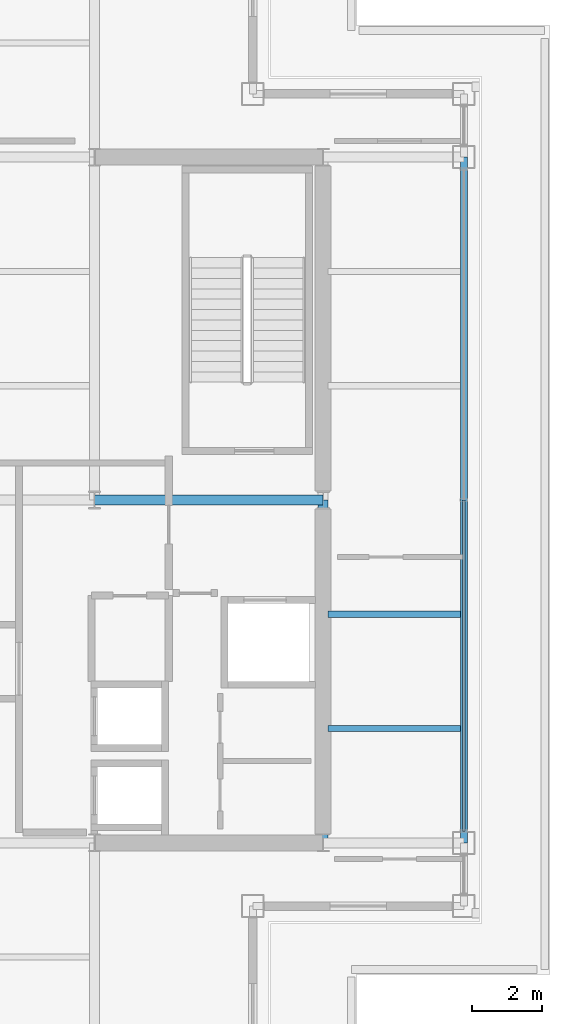
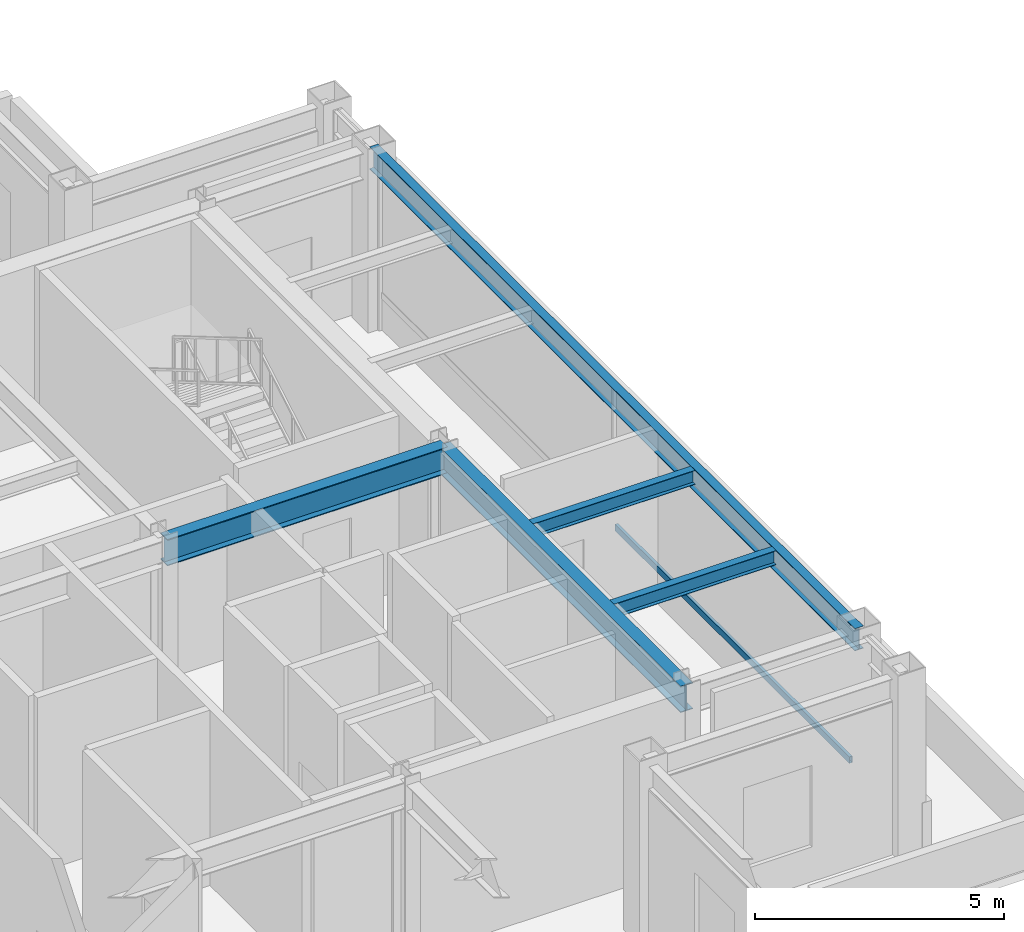
# One storey, part 9 of 19: 5 beams, 1 member, 1 element without a shape of its own.
"""IFC4 building model written with IfcOpenShell, lengths in metres."""

from ifc_helpers import new_model, si_unit, direction, frame, origin, origin_2d, place, context, subcontext, project, spatial, hollow_rectangle, i_section, extrude, material, layer, layer_set, material_profile, profile_set, type_object, element, aggregate, save


model = new_model("IFC4")

# Units and contexts
model_context = context("Model", 3, precision=1e-05, world=origin(), true_north=direction((0.0, 1.0)))
body_context = subcontext(model_context, "Body", "Model", "MODEL_VIEW")
ifc_project = project(units=[si_unit("LENGTHUNIT", "METRE"), si_unit("AREAUNIT", "SQUARE_METRE"), si_unit("VOLUMEUNIT", "CUBIC_METRE"), si_unit("PLANEANGLEUNIT", "RADIAN"), si_unit("MASSUNIT", "GRAM", prefix="KILO")], contexts=[model_context])

# Site, building, storey
site_placement = place(None, origin())
site = spatial("IfcSite", under=ifc_project, at=site_placement, CompositionType="ELEMENT")
building_placement = place(site_placement, origin())
building = spatial("IfcBuilding", under=site, at=building_placement, Name="Brelmoor Portico Tower", CompositionType="ELEMENT")
storey_placement = place(building_placement, frame((0.0, 0.0, 213.89990234375)))
storey = spatial("IfcBuildingStorey", under=building, at=storey_placement, Name="L56", CompositionType="ELEMENT", Elevation=213.89990234375)

# Beams
ifc_material_1 = material(Name="Steel Q355B", Category="steel")
ifc_material_profile_1 = material_profile(ifc_material_1, i_section(OverallWidth=0.175048828125, OverallDepth=0.35009765625, WebThickness=0.007080078125, FlangeThickness=0.010986328125, at=origin_2d()), Name="HN 350x175x7x11")
ifc_profile_set_1 = profile_set([ifc_material_profile_1], Name="Steel Q355B")
beam_type_1 = type_object("IfcBeamType", Name="BM-JS-350", PredefinedType="JOIST", material=ifc_profile_set_1)
for number, where, z_axis, x_axis, name in (
    (1, (14.68994140625, -6.5, 4.125), (1.0, 0.0, 0.0), (0.0, 1.0, 0.0), "L56 Secondary Wing Joist JS-E11"),
    (2, (14.68994140625, -3.25, 4.125), (1.0, 0.0, 0.0), (0.0, 1.0, 0.0), "L56 Secondary Wing Joist JS-E12"),
):
    element("IfcBeam", number, at=place(storey_placement, frame(where, z_axis=z_axis, x_axis=x_axis)), inside=storey, type_object=beam_type_1, Name=name, PredefinedType="JOIST", context=body_context, shape_type="SweptSolid", body=[
        extrude(i_section(OverallWidth=0.175048828125, OverallDepth=0.35009765625, WebThickness=0.007080078125, FlangeThickness=0.010986328125, at=origin_2d()), origin(), (0.0, 0.0, 1.0), 3.760009765625),
    ])
ifc_material_profile_2 = material_profile(ifc_material_1, i_section(OverallWidth=0.280029296875, OverallDepth=0.64990234375, WebThickness=0.012939453125, FlangeThickness=0.02197265625, at=origin_2d()), Name="HN 650x280x13x22")
ifc_profile_set_2 = profile_set([ifc_material_profile_2], Name="Steel Q355B")
beam_type_2 = type_object("IfcBeamType", Name="BM-PG-650", PredefinedType="BEAM", material=ifc_profile_set_2)
beam_1_placement = place(storey_placement, frame((14.550048828125, -9.75, 3.97509765625), z_axis=(0.0, 1.0, 0.0), x_axis=(-1.0, 0.0, 0.0)))
element("IfcBeam", 3, at=beam_1_placement, inside=storey, type_object=beam_type_2, Name="L56 Primary Floor Girder PG-09", PredefinedType="BEAM", context=body_context, shape_type="SweptSolid", body=[
    extrude(i_section(OverallWidth=0.280029296875, OverallDepth=0.64990234375, WebThickness=0.012939453125, FlangeThickness=0.02197265625, at=origin_2d()), origin(), (0.0, 0.0, 1.0), 9.75),
])
beam_2_placement = place(storey_placement, frame((8.050048828125, 0.0, 3.97509765625), z_axis=(1.0, 0.0, 0.0), x_axis=(0.0, 1.0, 0.0)))
element("IfcBeam", 4, at=beam_2_placement, inside=storey, type_object=beam_type_2, Name="L56 Primary Floor Girder PG-18", PredefinedType="BEAM", context=body_context, shape_type="SweptSolid", body=[
    extrude(i_section(OverallWidth=0.280029296875, OverallDepth=0.64990234375, WebThickness=0.012939453125, FlangeThickness=0.02197265625, at=origin_2d()), origin(), (0.0, 0.0, 1.0), 6.5),
])
ifc_material_profile_3 = material_profile(ifc_material_1, i_section(OverallWidth=0.199951171875, OverallDepth=0.550048828125, WebThickness=0.010009765625, FlangeThickness=0.01611328125, at=origin_2d()), Name="HN 550x200x10x16")
ifc_profile_set_3 = profile_set([ifc_material_profile_3], Name="Steel Q355B")
beam_type_3 = type_object("IfcBeamType", Name="BM-SP-550", PredefinedType="SPANDREL", material=ifc_profile_set_3)
beam_3_placement = place(storey_placement, frame((18.550048828125, -9.75, 4.025146484375), z_axis=(0.0, 1.0, 0.0), x_axis=(-1.0, 0.0, 0.0)))
element("IfcBeam", 5, at=beam_3_placement, inside=storey, type_object=beam_type_3, Name="L56 Perimeter Spandrel Beam SP-19", PredefinedType="SPANDREL", context=body_context, shape_type="SweptSolid", body=[
    extrude(i_section(OverallWidth=0.199951171875, OverallDepth=0.550048828125, WebThickness=0.010009765625, FlangeThickness=0.01611328125, at=origin_2d()), origin(), (0.0, 0.0, 1.0), 19.5),
])

# Curtain wall, member
ifc_material_2 = material(Name="Anodised Aluminium Alloy 6063-T6", Category="aluminium")
ifc_layer = layer(ifc_material_2, 0.179931640625)
ifc_layer_set = layer_set([ifc_layer], Name="Anodised Aluminium Alloy 6063-T6")
curtain_wall_type = type_object("IfcCurtainWallType", Name="CW-SKYLOBBY", PredefinedType="NOTDEFINED", material=ifc_layer_set)
curtain_wall_placement = place(storey_placement, origin())
curtain_wall = element("IfcCurtainWall", 6, at=curtain_wall_placement, inside=storey, type_object=curtain_wall_type, Name="L56 Curtain Wall CW-L56-04-2", PredefinedType="NOTDEFINED")
ifc_material_profile_4 = material_profile(ifc_material_2, hollow_rectangle(XDim=0.070068359375, YDim=0.159912109375, WallThickness=0.00390625, at=origin_2d()), Name="ALU TRANSOM 70x160")
ifc_profile_set_4 = profile_set([ifc_material_profile_4], Name="Anodised Aluminium Alloy 6063-T6")
member_type = type_object("IfcMemberType", Name="MB-CW-TRAN-160", PredefinedType="USERDEFINED", material=ifc_profile_set_4)
member_placement = place(storey_placement, frame((18.550048828125, -9.4150390625, 0.85009765625), z_axis=(0.0, 1.0, 0.0), x_axis=(-1.0, 0.0, 0.0)))
member = element("IfcMember", 7, at=member_placement, type_object=member_type, Name="CW-L56-04-2 Transom 1-00", ObjectType="TRANSOM", PredefinedType="USERDEFINED", context=body_context, shape_type="SweptSolid", body=[
    extrude(hollow_rectangle(XDim=0.070068359375, YDim=0.159912109375, WallThickness=0.00390625, at=origin_2d()), origin(), (0.0, 0.0, 1.0), 9.4150390625),
])
aggregate(curtain_wall, [member])

save(model, "model.ifc")
